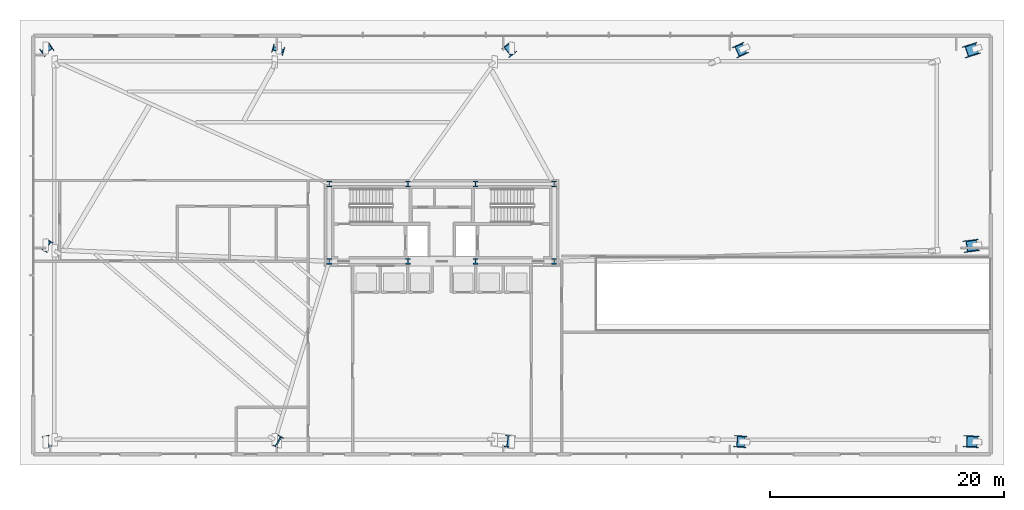
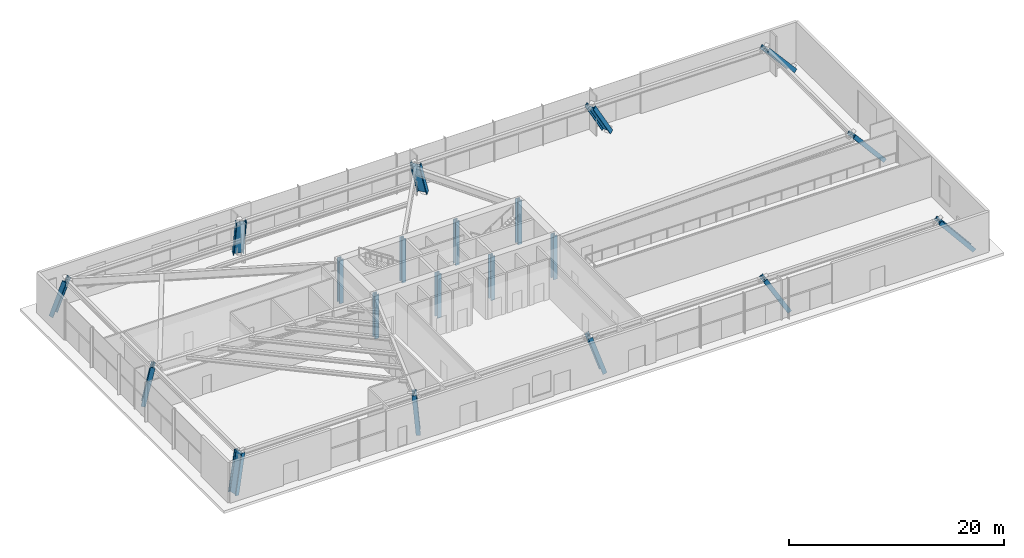
# One storey, part 1 of 31: 20 columns.
"""IFC4 building model written with IfcOpenShell, lengths in metres."""

from ifc_helpers import new_model, si_unit, direction, frame, origin, origin_2d, place, context, subcontext, project, spatial, i_section, extrude, source, transform, mapped, material, material_profile, profile_set, type_object, type_shapes, element, save


model = new_model("IFC4")

# Units and contexts
model_context = context("Model", 3, precision=1e-05, world=origin(), true_north=direction((0.0, 1.0)))
body_context = subcontext(model_context, "Body", "Model", "MODEL_VIEW")
ifc_project = project(units=[si_unit("LENGTHUNIT", "METRE"), si_unit("AREAUNIT", "SQUARE_METRE"), si_unit("VOLUMEUNIT", "CUBIC_METRE"), si_unit("PLANEANGLEUNIT", "RADIAN"), si_unit("MASSUNIT", "GRAM", prefix="KILO")], contexts=[model_context])

# Site, building, storey
site_placement = place(None, origin())
site = spatial("IfcSite", under=ifc_project, at=site_placement, CompositionType="ELEMENT")
building_placement = place(site_placement, origin())
building = spatial("IfcBuilding", under=site, at=building_placement, Name="Astriad Promenade Condominiums", CompositionType="ELEMENT")
storey_placement = place(building_placement, origin())
storey = spatial("IfcBuildingStorey", under=building, at=storey_placement, Name="L00", CompositionType="ELEMENT", Elevation=0.0)

# Columns
ifc_material = material(Name="Steel ASTM A992 Grade 50", Category="steel")
ifc_material_profile_1 = material_profile(ifc_material, i_section(OverallWidth=0.43701171875, OverallDepth=0.51416015625, WebThickness=0.060546875, FlangeThickness=0.096923828125, FilletRadius=0.017822265625, at=origin_2d()), Name="W14X550")
ifc_profile_set_1 = profile_set([ifc_material_profile_1], Name="Steel ASTM A992 Grade 50")
column_type_1 = type_object("IfcColumnType", Name="STEEL CORE PILASTER W14X550", PredefinedType="PILASTER", material=ifc_profile_set_1)
shared_shape_1 = source(origin(), body_context, "Body", "SweptSolid", [
    extrude(i_section(OverallWidth=0.43701171875, OverallDepth=0.51416015625, WebThickness=0.060546875, FlangeThickness=0.096923828125, FilletRadius=0.017822265625, at=origin_2d()), origin(), (0.0, 0.0, 1.0), 4.99609375),
])
type_shapes(column_type_1, [shared_shape_1])
for number, where, z_axis, x_axis, name in (
    (1, (26.39990234375, 17.39990234375, 0.001953125), (0.0, 0.0, 1.0), (1.0, 0.0, 0.0), "Core Pilaster Column CP1 (L00)"),
    (2, (33.1201171875, 17.39990234375, 0.001953125), (0.0, 0.0, 1.0), (1.0, 0.0, 0.0), "Core Pilaster Column CP2 (L00)"),
    (3, (38.8798828125, 17.39990234375, 0.001953125), (0.0, 0.0, 1.0), (1.0, 0.0, 0.0), "Core Pilaster Column CP3 (L00)"),
    (4, (45.60009765625, 17.39990234375, 0.001953125), (0.0, 0.0, 1.0), (1.0, 0.0, 0.0), "Core Pilaster Column CP4 (L00)"),
    (5, (26.39990234375, 24.0, 0.001953125), (0.0, 0.0, 1.0), (1.0, 0.0, 0.0), "Core Pilaster Column CP5 (L00)"),
    (6, (33.1201171875, 24.0, 0.001953125), (0.0, 0.0, 1.0), (1.0, 0.0, 0.0), "Core Pilaster Column CP6 (L00)"),
    (7, (38.8798828125, 24.0, 0.001953125), (0.0, 0.0, 1.0), (1.0, 0.0, 0.0), "Core Pilaster Column CP7 (L00)"),
    (8, (45.60009765625, 24.0, 0.001953125), (0.0, 0.0, 1.0), (1.0, 0.0, 0.0), "Core Pilaster Column CP8 (L00)"),
):
    element("IfcColumn", number, at=place(storey_placement, frame(where, z_axis=z_axis, x_axis=x_axis)), inside=storey, type_object=column_type_1, Name=name, PredefinedType="PILASTER", context=body_context, shape_type="MappedRepresentation", body=[
        mapped(shared_shape_1, transform((0.0, 0.0, 0.0), scale=1.0)),
    ])
ifc_material_profile_2 = material_profile(ifc_material, i_section(OverallWidth=0.4375, OverallDepth=1.01123046875, WebThickness=0.041015625, FlangeThickness=0.073974609375, FilletRadius=0.024169921875, at=origin_2d()), Name="W36X529")
ifc_profile_set_2 = profile_set([ifc_material_profile_2], Name="Steel ASTM A992 Grade 50")
column_type_2 = type_object("IfcColumnType", Name="STEEL RAKING MEGA COLUMN W36X529", PredefinedType="COLUMN", material=ifc_profile_set_2)
shared_shape_2 = source(origin(), body_context, "Body", "SweptSolid", [
    extrude(i_section(OverallWidth=0.4375, OverallDepth=1.01123046875, WebThickness=0.041015625, FlangeThickness=0.073974609375, FilletRadius=0.024169921875, at=origin_2d()), origin(), (0.0, 0.0, 1.0), 4.550537109375),
])
column_1_placement = place(storey_placement, frame((2.18896484375, 1.982177734375, 0.05078125), z_axis=(0.171898318793, 0.042974579698, 0.984176891365), x_axis=(-0.954791829974, -0.238697957493, 0.177188731312)))
element("IfcColumn", 9, at=column_1_placement, inside=storey, type_object=column_type_2, Name="Raking Mega-Strut Column PC01 (L00)", PredefinedType="COLUMN", context=body_context, shape_type="MappedRepresentation", body=[
    mapped(shared_shape_2, transform((0.0, 0.0, 0.0), scale=1.0)),
])
shared_shape_3 = source(origin(), body_context, "Body", "SweptSolid", [
    extrude(i_section(OverallWidth=0.4375, OverallDepth=1.01123046875, WebThickness=0.041015625, FlangeThickness=0.073974609375, FilletRadius=0.024169921875, at=origin_2d()), origin(), (0.0, 0.0, 1.0), 4.53515625),
])
column_2_placement = place(storey_placement, frame((22.087646484375, 1.9814453125, 0.03125), z_axis=(-0.076121654642, 0.043498088367, 0.996149291022), x_axis=(0.864899790462, -0.494228451692, 0.087673199994)))
element("IfcColumn", 10, at=column_2_placement, inside=storey, type_object=column_type_2, Name="Raking Mega-Strut Column PC02 (L00)", PredefinedType="COLUMN", context=body_context, shape_type="MappedRepresentation", body=[
    mapped(shared_shape_3, transform((0.0, 0.0, 0.0), scale=1.0)),
])
shared_shape_4 = source(origin(), body_context, "Body", "SweptSolid", [
    extrude(i_section(OverallWidth=0.4375, OverallDepth=1.01123046875, WebThickness=0.041015625, FlangeThickness=0.073974609375, FilletRadius=0.024169921875, at=origin_2d()), origin(), (0.0, 0.0, 1.0), 4.65380859375),
])
column_3_placement = place(storey_placement, frame((41.9736328125, 1.9833984375, 0.08056640625), z_axis=(-0.310977922628, 0.041495198515, 0.949510863623), x_axis=(0.94116917589, -0.12558448349, 0.313734154758)))
element("IfcColumn", 11, at=column_3_placement, inside=storey, type_object=column_type_2, Name="Raking Mega-Strut Column PC03 (L00)", PredefinedType="COLUMN", context=body_context, shape_type="MappedRepresentation", body=[
    mapped(shared_shape_4, transform((0.0, 0.0, 0.0), scale=1.0)),
])
shared_shape_5 = source(origin(), body_context, "Body", "SweptSolid", [
    extrude(i_section(OverallWidth=0.4375, OverallDepth=1.01123046875, WebThickness=0.041015625, FlangeThickness=0.073974609375, FilletRadius=0.024169921875, at=origin_2d()), origin(), (0.0, 0.0, 1.0), 5.013671875),
])
column_4_placement = place(storey_placement, frame((61.839599609375, 1.9853515625, 0.121826171875), z_axis=(-0.500449971468, 0.03778818506, 0.864940390505), x_axis=(0.862485146593, -0.065124887979, 0.501874606722)))
element("IfcColumn", 12, at=column_4_placement, inside=storey, type_object=column_type_2, Name="Raking Mega-Strut Column PC04 (L00)", PredefinedType="COLUMN", context=body_context, shape_type="MappedRepresentation", body=[
    mapped(shared_shape_5, transform((0.0, 0.0, 0.0), scale=1.0)),
])
shared_shape_6 = source(origin(), body_context, "Body", "SweptSolid", [
    extrude(i_section(OverallWidth=0.4375, OverallDepth=1.01123046875, WebThickness=0.041015625, FlangeThickness=0.073974609375, FilletRadius=0.024169921875, at=origin_2d()), origin(), (0.0, 0.0, 1.0), 5.559814453125),
])
column_5_placement = place(storey_placement, frame((81.694091796875, 1.986572265625, 0.15185546875), z_axis=(-0.638171672387, 0.033592605063, 0.769160876181), x_axis=(0.768097472559, -0.04043174613, 0.639055198361)))
element("IfcColumn", 13, at=column_5_placement, inside=storey, type_object=column_type_2, Name="Raking Mega-Strut Column PC05 (L00)", PredefinedType="COLUMN", context=body_context, shape_type="MappedRepresentation", body=[
    mapped(shared_shape_6, transform((0.0, 0.0, 0.0), scale=1.0)),
])
shared_shape_7 = source(origin(), body_context, "Body", "SweptSolid", [
    extrude(i_section(OverallWidth=0.4375, OverallDepth=1.01123046875, WebThickness=0.041015625, FlangeThickness=0.073974609375, FilletRadius=0.024169921875, at=origin_2d()), origin(), (0.0, 0.0, 1.0), 4.638916015625),
])
column_6_placement = place(storey_placement, frame((2.193603515625, 35.599609375, 0.07763671875), z_axis=(0.166567504436, -0.249930198598, 0.953829210233), x_axis=(-0.528973537524, 0.793711004645, 0.300349525895)))
element("IfcColumn", 14, at=column_6_placement, inside=storey, type_object=column_type_2, Name="Raking Mega-Strut Column PC06 (L00)", PredefinedType="COLUMN", context=body_context, shape_type="MappedRepresentation", body=[
    mapped(shared_shape_7, transform((0.0, 0.0, 0.0), scale=1.0)),
])
shared_shape_8 = source(origin(), body_context, "Body", "SweptSolid", [
    extrude(i_section(OverallWidth=0.4375, OverallDepth=1.01123046875, WebThickness=0.041015625, FlangeThickness=0.073974609375, FilletRadius=0.024169921875, at=origin_2d()), origin(), (0.0, 0.0, 1.0), 4.603271484375),
])
column_7_placement = place(storey_placement, frame((22.084716796875, 35.601806640625, 0.069580078125), z_axis=(-0.073719261537, -0.252766906826, 0.964714652782), x_axis=(0.270105178947, 0.926130419325, 0.263297623817)))
element("IfcColumn", 15, at=column_7_placement, inside=storey, type_object=column_type_2, Name="Raking Mega-Strut Column PC07 (L00)", PredefinedType="COLUMN", context=body_context, shape_type="MappedRepresentation", body=[
    mapped(shared_shape_8, transform((0.0, 0.0, 0.0), scale=1.0)),
])
shared_shape_9 = source(origin(), body_context, "Body", "SweptSolid", [
    extrude(i_section(OverallWidth=0.4375, OverallDepth=1.01123046875, WebThickness=0.041015625, FlangeThickness=0.073974609375, FilletRadius=0.024169921875, at=origin_2d()), origin(), (0.0, 0.0, 1.0), 4.757080078125),
])
column_8_placement = place(storey_placement, frame((41.968505859375, 35.5947265625, 0.0966796875), z_axis=(-0.302080885429, -0.241623650799, 0.922152454875), x_axis=(0.720127831823, 0.576004388757, 0.386826640715)))
element("IfcColumn", 16, at=column_8_placement, inside=storey, type_object=column_type_2, Name="Raking Mega-Strut Column PC08 (L00)", PredefinedType="COLUMN", context=body_context, shape_type="MappedRepresentation", body=[
    mapped(shared_shape_9, transform((0.0, 0.0, 0.0), scale=1.0)),
])
shared_shape_10 = source(origin(), body_context, "Body", "SweptSolid", [
    extrude(i_section(OverallWidth=0.4375, OverallDepth=1.01123046875, WebThickness=0.041015625, FlangeThickness=0.073974609375, FilletRadius=0.024169921875, at=origin_2d()), origin(), (0.0, 0.0, 1.0), 5.11962890625),
])
column_9_placement = place(storey_placement, frame((61.835205078125, 35.586181640625, 0.129150390625), z_axis=(-0.488415288712, -0.221174585925, 0.844116288371), x_axis=(0.768948067591, 0.348211397919, 0.536160136253)))
element("IfcColumn", 17, at=column_9_placement, inside=storey, type_object=column_type_2, Name="Raking Mega-Strut Column PC09 (L00)", PredefinedType="COLUMN", context=body_context, shape_type="MappedRepresentation", body=[
    mapped(shared_shape_10, transform((0.0, 0.0, 0.0), scale=1.0)),
])
shared_shape_11 = source(origin(), body_context, "Body", "SweptSolid", [
    extrude(i_section(OverallWidth=0.4375, OverallDepth=1.01123046875, WebThickness=0.041015625, FlangeThickness=0.073974609375, FilletRadius=0.024169921875, at=origin_2d()), origin(), (0.0, 0.0, 1.0), 5.658447265625),
])
column_10_placement = place(storey_placement, frame((81.69091796875, 35.5791015625, 0.155517578125), z_axis=(-0.625927781854, -0.197654592174, 0.754418368079), x_axis=(0.719402526438, 0.227171915187, 0.656393880155)))
element("IfcColumn", 18, at=column_10_placement, inside=storey, type_object=column_type_2, Name="Raking Mega-Strut Column PC10 (L00)", PredefinedType="COLUMN", context=body_context, shape_type="MappedRepresentation", body=[
    mapped(shared_shape_11, transform((0.0, 0.0, 0.0), scale=1.0)),
])
shared_shape_12 = source(origin(), body_context, "Body", "SweptSolid", [
    extrude(i_section(OverallWidth=0.4375, OverallDepth=1.01123046875, WebThickness=0.041015625, FlangeThickness=0.073974609375, FilletRadius=0.024169921875, at=origin_2d()), origin(), (0.0, 0.0, 1.0), 4.5615234375),
])
column_11_placement = place(storey_placement, frame((2.189697265625, 18.7939453125, 0.05615234375), z_axis=(0.171106284993, -0.10693473801, 0.979432285073), x_axis=(-0.830571511647, 0.519074720135, 0.201773137353)))
element("IfcColumn", 19, at=column_11_placement, inside=storey, type_object=column_type_2, Name="Raking Mega-Strut Column PC11 (L00)", PredefinedType="COLUMN", context=body_context, shape_type="MappedRepresentation", body=[
    mapped(shared_shape_12, transform((0.0, 0.0, 0.0), scale=1.0)),
])
shared_shape_13 = source(origin(), body_context, "Body", "SweptSolid", [
    extrude(i_section(OverallWidth=0.4375, OverallDepth=1.01123046875, WebThickness=0.041015625, FlangeThickness=0.073974609375, FilletRadius=0.024169921875, at=origin_2d()), origin(), (0.0, 0.0, 1.0), 5.57470703125),
])
type_shapes(column_type_2, [shared_shape_2, shared_shape_3, shared_shape_4, shared_shape_5, shared_shape_6, shared_shape_7, shared_shape_8, shared_shape_9, shared_shape_10, shared_shape_11, shared_shape_12, shared_shape_13])
column_12_placement = place(storey_placement, frame((81.693603515625, 18.783447265625, 0.15234375), z_axis=(-0.636293391775, -0.083735492124, 0.766889227295), x_axis=(0.760333659123, 0.100059051294, 0.641779489434)))
element("IfcColumn", 20, at=column_12_placement, inside=storey, type_object=column_type_2, Name="Raking Mega-Strut Column PC12 (L00)", PredefinedType="COLUMN", context=body_context, shape_type="MappedRepresentation", body=[
    mapped(shared_shape_13, transform((0.0, 0.0, 0.0), scale=1.0)),
])

save(model, "model.ifc")
